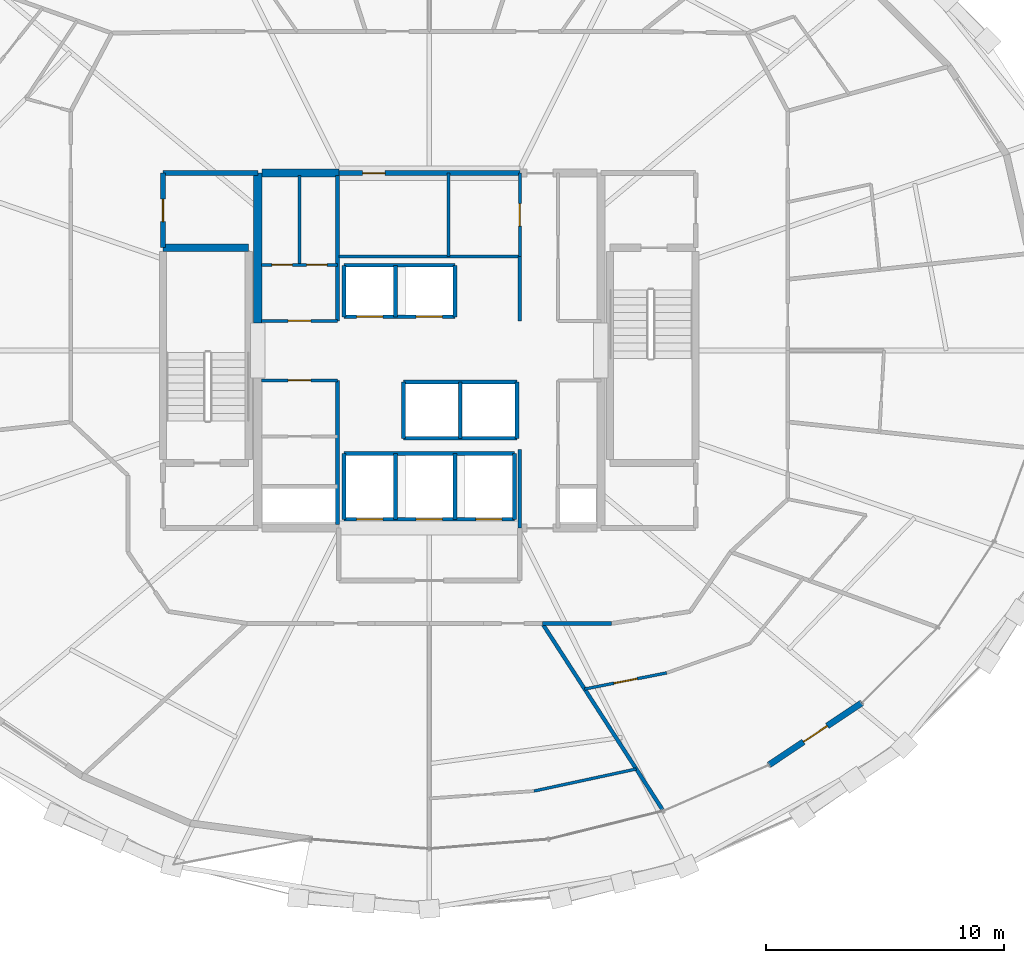
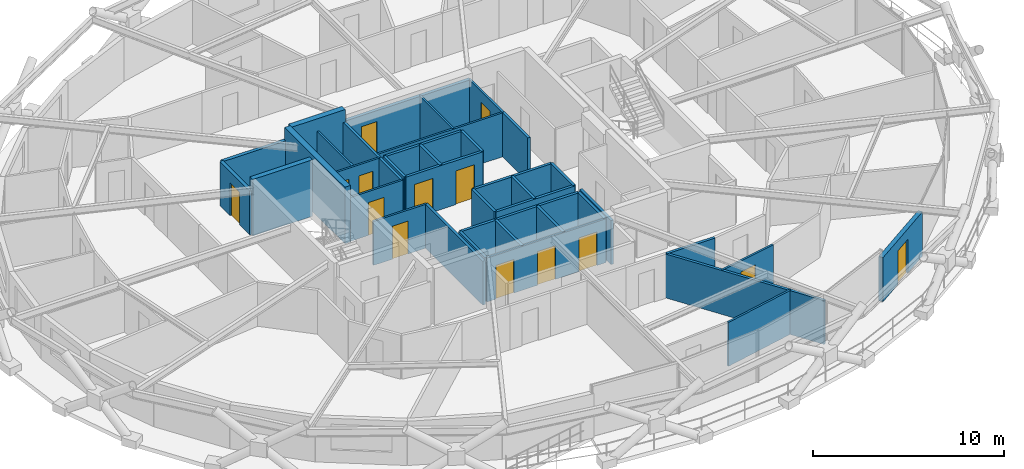
# One storey, part 15 of 19: 38 walls, 14 doors, 14 openings.
"""IFC4 building model written with IfcOpenShell, lengths in metres."""

from ifc_helpers import new_model, si_unit, direction, frame, frame_2d, origin, place, context, subcontext, project, spatial, rectangle, extrude, material, layer, layer_set, type_object, element, fill, save


model = new_model("IFC4")

# Units and contexts
model_context = context("Model", 3, precision=1e-05, world=origin(), true_north=direction((0.0, 1.0)))
body_context = subcontext(model_context, "Body", "Model", "MODEL_VIEW")
ifc_project = project(units=[si_unit("LENGTHUNIT", "METRE"), si_unit("AREAUNIT", "SQUARE_METRE"), si_unit("VOLUMEUNIT", "CUBIC_METRE"), si_unit("PLANEANGLEUNIT", "RADIAN"), si_unit("MASSUNIT", "GRAM", prefix="KILO")], contexts=[model_context])

# Site, building, storey
site_placement = place(None, origin())
site = spatial("IfcSite", under=ifc_project, at=site_placement, CompositionType="ELEMENT")
building_placement = place(site_placement, origin())
building = spatial("IfcBuilding", under=site, at=building_placement, Name="Veldorina Hangang Commons", CompositionType="ELEMENT")
storey_placement = place(building_placement, frame((0.0, 0.0, 160.39990234375)))
storey = spatial("IfcBuildingStorey", under=building, at=storey_placement, Name="L41", CompositionType="ELEMENT", Elevation=160.39990234375)

# Walls
ifc_material_1 = material(Name="Concrete C60/75", Category="concrete")
ifc_layer_1 = layer(ifc_material_1, 0.340087890625)
ifc_layer_set_1 = layer_set([ifc_layer_1], Name="Concrete C60/75")
wall_type_1 = type_object("IfcWallType", Name="CW-RC340-C60", PredefinedType="SHEAR", material=ifc_layer_set_1)
wall_1_placement = place(storey_placement, frame((24.800048828125, 25.14990234375, 0.0), z_axis=(0.0, 0.0, 1.0), x_axis=(0.0, 1.0, 0.0)))
element("IfcWall", 1, at=wall_1_placement, inside=storey, type_object=wall_type_1, Name="L41 W north core shear wall", PredefinedType="SHEAR", context=body_context, shape_type="SweptSolid", body=[
    extrude(rectangle(XDim=6.300048828125, YDim=0.340087890625, at=frame_2d((3.14990234375, 0.0))), origin(), (0.0, 0.0, 1.0), 3.60009765625),
])
wall_2_placement = place(storey_placement, frame((24.969970703125, 31.449951171875, 0.0), z_axis=(0.0, 0.0, 1.0), x_axis=(1.0, 0.0, 0.0)))
element("IfcWall", 2, at=wall_2_placement, inside=storey, type_object=wall_type_1, Name="L41 north-west core shear wall", PredefinedType="SHEAR", context=body_context, shape_type="SweptSolid", body=[
    extrude(rectangle(XDim=3.22998046875, YDim=0.340087890625, at=frame_2d((1.614990234375, 0.0))), origin(), (0.0, 0.0, 1.0), 3.60009765625),
])

# Wall, opening, door
ifc_material_2 = material(Name="Stone Roman Travertine", Category="masonry")
ifc_layer_2 = layer(ifc_material_2, 0.260009765625)
ifc_layer_set_2 = layer_set([ifc_layer_2], Name="Stone Roman Travertine")
wall_type_2 = type_object("IfcWallType", Name="EW-LOGGIA-260", PredefinedType="STANDARD", material=ifc_layer_set_2)
wall_3_placement = place(storey_placement, frame((46.2607421875, 6.612060546875, 0.0), z_axis=(0.0, 0.0, 1.0), x_axis=(0.831303038132, 0.555819448015, 0.0)))
wall_3 = element("IfcWall", 3, at=wall_3_placement, inside=storey, type_object=wall_type_2, Name="L41 sky-garden loggia portal wall 27", PredefinedType="STANDARD", context=body_context, shape_type="SweptSolid", body=[
    extrude(rectangle(XDim=4.67919921875, YDim=0.260009765625, at=frame_2d((2.339599609375, 0.0))), origin(), (0.0, 0.0, 1.0), 2.820068359375),
])
opening_1_placement = place(wall_3_placement, frame((1.739501953125, 0.0, 0.0)))
opening_1 = element("IfcOpeningElement", 4, at=opening_1_placement, cuts=wall_3, Name="Opening BD-1200", PredefinedType="OPENING", context=body_context, shape_type="SweptSolid", body=[
    extrude(rectangle(XDim=1.199951171875, YDim=2.14990234375, at=frame_2d((0.60009765625, 1.074951171875))), frame((0.0, 0.14013671875, 0.0), z_axis=(0.0, -1.0, 0.0), x_axis=(1.0, 0.0, 0.0)), (0.0, 0.0, 1.0), 0.280029296875),
])
ifc_material_3 = material(Name="Glass Thermal Aluminium Frame", Category="aluminium")
door_type_1 = type_object("IfcDoorType", Name="DR-EXT-LOG1200", OperationType="SINGLE_SWING_LEFT", PredefinedType="DOOR", material=ifc_material_3)
door_1_placement = place(opening_1_placement, origin())
door_1 = element("IfcDoor", 5, at=door_1_placement, inside=storey, type_object=door_type_1, Name="L41 loggia glazed exterior door 27", OperationType="SINGLE_SWING_RIGHT", OverallHeight=2.14990234375, OverallWidth=1.199951171875, PredefinedType="DOOR", context=body_context, shape_type="SweptSolid", body=[
    extrude(rectangle(XDim=1.199951171875, YDim=2.14990234375, at=frame_2d((0.60009765625, 1.074951171875))), frame((0.0, 0.02490234375, 0.0), z_axis=(0.0, -1.0, 0.0), x_axis=(1.0, 0.0, 0.0)), (0.0, 0.0, 1.0), 0.050048828125),
])
fill(opening_1, door_1)

# Walls
ifc_material_4 = material(Name="Concrete C50/60", Category="concrete")
ifc_layer_3 = layer(ifc_material_4, 0.300048828125)
ifc_layer_set_3 = layer_set([ifc_layer_3], Name="Concrete C50/60")
wall_type_3 = type_object("IfcWallType", Name="SW-STAIR-300", PredefinedType="SHEAR", material=ifc_layer_set_3)
wall_4_placement = place(storey_placement, frame((20.820068359375, 28.320068359375, 0.0), z_axis=(0.0, 0.0, 1.0), x_axis=(1.0, 0.0, 0.0)))
element("IfcWall", 6, at=wall_4_placement, inside=storey, type_object=wall_type_3, Name="L41 ST1 north stair shear wall", PredefinedType="SHEAR", context=body_context, shape_type="SweptSolid", body=[
    extrude(rectangle(XDim=3.599853515625, YDim=0.300048828125, at=frame_2d((1.7998046875, 0.0))), origin(), (0.0, 0.0, 1.0), 3.60009765625),
])
ifc_material_5 = material(Name="Gypsum Fire-Rated Twin Stud Wall", Category="gypsum")
ifc_layer_4 = layer(ifc_material_5, 0.159912109375)
ifc_layer_set_4 = layer_set([ifc_layer_4], Name="Gypsum Fire-Rated Twin Stud Wall")
wall_type_4 = type_object("IfcWallType", Name="WL-FIRE-160", PredefinedType="SOLIDWALL", material=ifc_layer_set_4)
wall_5_placement = place(storey_placement, frame((35.800048828125, 16.550048828125, 0.0), z_axis=(0.0, 0.0, 1.0), x_axis=(0.0, 1.0, 0.0)))
element("IfcWall", 7, at=wall_5_placement, inside=storey, type_object=wall_type_4, Name="L41 Lift passage SW wall 009", PredefinedType="SOLIDWALL", context=body_context, shape_type="SweptSolid", body=[
    extrude(rectangle(XDim=3.300048828125, YDim=0.159912109375, at=frame_2d((1.64990234375, 0.0))), origin(), (0.0, 0.0, 1.0), 2.800048828125),
])
wall_6_placement = place(storey_placement, frame((35.800048828125, 25.25, 0.0), z_axis=(0.0, 0.0, 1.0), x_axis=(0.0, 1.0, 0.0)))
element("IfcWall", 8, at=wall_6_placement, inside=storey, type_object=wall_type_4, Name="L41 Lift passage NW lower wall 011", PredefinedType="SOLIDWALL", context=body_context, shape_type="SweptSolid", body=[
    extrude(rectangle(XDim=2.699951171875, YDim=0.159912109375, at=frame_2d((1.35009765625, 0.0))), origin(), (0.0, 0.0, 1.0), 2.800048828125),
])

# Wall, openings, doors
wall_7_placement = place(storey_placement, frame((28.419921875, 25.419921875, 0.0), z_axis=(0.0, 0.0, 1.0), x_axis=(1.0, 0.0, 0.0)))
wall_7 = element("IfcWall", 9, at=wall_7_placement, inside=storey, type_object=wall_type_4, Name="L41 Mid-high front shaft wall 015", PredefinedType="SOLIDWALL", context=body_context, shape_type="SweptSolid", body=[
    extrude(rectangle(XDim=4.66015625, YDim=0.159912109375, at=frame_2d((2.330078125, 0.0))), origin(), (0.0, 0.0, 1.0), 2.800048828125),
])
opening_2_placement = place(wall_7_placement, frame((0.530029296875, 0.0, 0.0)))
opening_2 = element("IfcOpeningElement", 10, at=opening_2_placement, cuts=wall_7, Name="Opening LD-01", PredefinedType="OPENING", context=body_context, shape_type="SweptSolid", body=[
    extrude(rectangle(XDim=1.10009765625, YDim=2.14990234375, at=frame_2d((0.550048828125, 1.074951171875))), frame((0.0, 0.08984375, 0.0), z_axis=(0.0, -1.0, 0.0), x_axis=(1.0, 0.0, 0.0)), (0.0, 0.0, 1.0), 0.179931640625),
])
opening_3_placement = place(wall_7_placement, frame((3.030029296875, 0.0, 0.0)))
opening_3 = element("IfcOpeningElement", 11, at=opening_3_placement, cuts=wall_7, Name="Opening LD-01", PredefinedType="OPENING", context=body_context, shape_type="SweptSolid", body=[
    extrude(rectangle(XDim=1.10009765625, YDim=2.14990234375, at=frame_2d((0.550048828125, 1.074951171875))), frame((0.0, 0.08984375, 0.0), z_axis=(0.0, -1.0, 0.0), x_axis=(1.0, 0.0, 0.0)), (0.0, 0.0, 1.0), 0.179931640625),
])
ifc_material_6 = material(Name="Stainless Steel Brushed Lift Door", Category="steel")
door_type_2 = type_object("IfcDoorType", Name="DR-LIFT-1100", OperationType="SLIDING_TO_LEFT", PredefinedType="DOOR", material=ifc_material_6)
door_2_placement = place(opening_2_placement, origin())
door_2 = element("IfcDoor", 12, at=door_2_placement, inside=storey, type_object=door_type_2, Name="L41 Lift PL-M1 landing door 006", OperationType="SLIDING_TO_RIGHT", OverallHeight=2.14990234375, OverallWidth=1.10009765625, PredefinedType="DOOR", context=body_context, shape_type="SweptSolid", body=[
    extrude(rectangle(XDim=1.10009765625, YDim=2.14990234375, at=frame_2d((0.550048828125, 1.074951171875))), frame((0.0, 0.02490234375, 0.0), z_axis=(0.0, -1.0, 0.0), x_axis=(1.0, 0.0, 0.0)), (0.0, 0.0, 1.0), 0.050048828125),
])
fill(opening_2, door_2)
door_3_placement = place(opening_3_placement, origin())
door_3 = element("IfcDoor", 13, at=door_3_placement, inside=storey, type_object=door_type_2, Name="L41 Lift PL-M2 landing door 007", OperationType="SLIDING_TO_RIGHT", OverallHeight=2.14990234375, OverallWidth=1.10009765625, PredefinedType="DOOR", context=body_context, shape_type="SweptSolid", body=[
    extrude(rectangle(XDim=1.10009765625, YDim=2.14990234375, at=frame_2d((0.550048828125, 1.074951171875))), frame((0.0, 0.02490234375, 0.0), z_axis=(0.0, -1.0, 0.0), x_axis=(1.0, 0.0, 0.0)), (0.0, 0.0, 1.0), 0.050048828125),
])
fill(opening_3, door_3)

# Walls
wall_8_placement = place(storey_placement, frame((28.419921875, 27.580078125, 0.0), z_axis=(0.0, 0.0, 1.0), x_axis=(1.0, 0.0, 0.0)))
element("IfcWall", 14, at=wall_8_placement, inside=storey, type_object=wall_type_4, Name="L41 Mid-high rear shaft wall 016", PredefinedType="SOLIDWALL", context=body_context, shape_type="SweptSolid", body=[
    extrude(rectangle(XDim=4.66015625, YDim=0.159912109375, at=frame_2d((2.330078125, 0.0))), origin(), (0.0, 0.0, 1.0), 2.800048828125),
])
for number, where, z_axis, x_axis, name in (
    (15, (28.419921875, 25.419921875, 0.0), (0.0, 0.0, 1.0), (0.0, 1.0, 0.0), "L41 PL-M1 west shaft wall 017"),
    (16, (30.580078125, 25.419921875, 0.0), (0.0, 0.0, 1.0), (0.0, 1.0, 0.0), "L41 PL-M1 east shaft wall 018"),
    (17, (33.080078125, 25.419921875, 0.0), (0.0, 0.0, 1.0), (0.0, 1.0, 0.0), "L41 PL-M2 east shaft wall 019"),
):
    element("IfcWall", number, at=place(storey_placement, frame(where, z_axis=z_axis, x_axis=x_axis)), inside=storey, type_object=wall_type_4, Name=name, PredefinedType="SOLIDWALL", context=body_context, shape_type="SweptSolid", body=[
        extrude(rectangle(XDim=2.16015625, YDim=0.159912109375, at=frame_2d((1.080078125, 0.0))), origin(), (0.0, 0.0, 1.0), 2.800048828125),
    ])
for number, where, z_axis, x_axis, name in (
    (18, (30.919921875, 22.679931640625, 0.0), (0.0, 0.0, 1.0), (1.0, 0.0, 0.0), "L41 Shuttle-high front shaft wall 020"),
    (19, (30.919921875, 20.320068359375, 0.0), (0.0, 0.0, 1.0), (1.0, 0.0, 0.0), "L41 Shuttle-high rear shaft wall 021"),
):
    element("IfcWall", number, at=place(storey_placement, frame(where, z_axis=z_axis, x_axis=x_axis)), inside=storey, type_object=wall_type_4, Name=name, PredefinedType="SOLIDWALL", context=body_context, shape_type="SweptSolid", body=[
        extrude(rectangle(XDim=4.760009765625, YDim=0.159912109375, at=frame_2d((2.3798828125, 0.0))), origin(), (0.0, 0.0, 1.0), 2.800048828125),
    ])
for number, where, z_axis, x_axis, name in (
    (20, (30.919921875, 20.320068359375, 0.0), (0.0, 0.0, 1.0), (0.0, 1.0, 0.0), "L41 SL-1 west shaft wall 022"),
    (21, (33.300048828125, 20.320068359375, 0.0), (0.0, 0.0, 1.0), (0.0, 1.0, 0.0), "L41 SL-1 east shaft wall 023"),
    (22, (35.679931640625, 20.320068359375, 0.0), (0.0, 0.0, 1.0), (0.0, 1.0, 0.0), "L41 SL-2 east shaft wall 024"),
):
    element("IfcWall", number, at=place(storey_placement, frame(where, z_axis=z_axis, x_axis=x_axis)), inside=storey, type_object=wall_type_4, Name=name, PredefinedType="SOLIDWALL", context=body_context, shape_type="SweptSolid", body=[
        extrude(rectangle(XDim=2.35986328125, YDim=0.159912109375, at=frame_2d((1.179931640625, 0.0))), origin(), (0.0, 0.0, 1.0), 2.800048828125),
    ])

# Wall, openings, doors
wall_9_placement = place(storey_placement, frame((28.419921875, 16.919921875, 0.0), z_axis=(0.0, 0.0, 1.0), x_axis=(1.0, 0.0, 0.0)))
wall_9 = element("IfcWall", 23, at=wall_9_placement, inside=storey, type_object=wall_type_4, Name="L41 Emergency front shaft wall 025", PredefinedType="SOLIDWALL", context=body_context, shape_type="SweptSolid", body=[
    extrude(rectangle(XDim=7.16015625, YDim=0.159912109375, at=frame_2d((3.580078125, 0.0))), origin(), (0.0, 0.0, 1.0), 2.800048828125),
])
opening_4_placement = place(wall_9_placement, frame((0.530029296875, 0.0, 0.0)))
opening_4 = element("IfcOpeningElement", 24, at=opening_4_placement, cuts=wall_9, Name="Opening LD-03", PredefinedType="OPENING", context=body_context, shape_type="SweptSolid", body=[
    extrude(rectangle(XDim=1.10009765625, YDim=2.14990234375, at=frame_2d((0.550048828125, 1.074951171875))), frame((0.0, 0.08984375, 0.0), z_axis=(0.0, -1.0, 0.0), x_axis=(1.0, 0.0, 0.0)), (0.0, 0.0, 1.0), 0.179931640625),
])
opening_5_placement = place(wall_9_placement, frame((3.030029296875, 0.0, 0.0)))
opening_5 = element("IfcOpeningElement", 25, at=opening_5_placement, cuts=wall_9, Name="Opening LD-03", PredefinedType="OPENING", context=body_context, shape_type="SweptSolid", body=[
    extrude(rectangle(XDim=1.10009765625, YDim=2.14990234375, at=frame_2d((0.550048828125, 1.074951171875))), frame((0.0, 0.08984375, 0.0), z_axis=(0.0, -1.0, 0.0), x_axis=(1.0, 0.0, 0.0)), (0.0, 0.0, 1.0), 0.179931640625),
])
opening_6_placement = place(wall_9_placement, frame((5.530029296875, 0.0, 0.0)))
opening_6 = element("IfcOpeningElement", 26, at=opening_6_placement, cuts=wall_9, Name="Opening LD-03", PredefinedType="OPENING", context=body_context, shape_type="SweptSolid", body=[
    extrude(rectangle(XDim=1.10009765625, YDim=2.14990234375, at=frame_2d((0.550048828125, 1.074951171875))), frame((0.0, 0.08984375, 0.0), z_axis=(0.0, -1.0, 0.0), x_axis=(1.0, 0.0, 0.0)), (0.0, 0.0, 1.0), 0.179931640625),
])
ifc_material_7 = material(Name="Stainless Steel Firefighting Lift Door", Category="steel")
door_type_3 = type_object("IfcDoorType", Name="DR-LIFT-FF1100", OperationType="SLIDING_TO_RIGHT", PredefinedType="DOOR", material=ifc_material_7)
door_4_placement = place(opening_4_placement, origin())
door_4 = element("IfcDoor", 27, at=door_4_placement, inside=storey, type_object=door_type_3, Name="L41 Emergency lift FFL-1 landing door 008", OperationType="SLIDING_TO_RIGHT", OverallHeight=2.14990234375, OverallWidth=1.10009765625, PredefinedType="DOOR", context=body_context, shape_type="SweptSolid", body=[
    extrude(rectangle(XDim=1.10009765625, YDim=2.14990234375, at=frame_2d((0.550048828125, 1.074951171875))), frame((0.0, 0.02490234375, 0.0), z_axis=(0.0, -1.0, 0.0), x_axis=(1.0, 0.0, 0.0)), (0.0, 0.0, 1.0), 0.050048828125),
])
fill(opening_4, door_4)
door_5_placement = place(opening_5_placement, origin())
door_5 = element("IfcDoor", 28, at=door_5_placement, inside=storey, type_object=door_type_3, Name="L41 Emergency lift FFL-2 landing door 009", OperationType="SLIDING_TO_RIGHT", OverallHeight=2.14990234375, OverallWidth=1.10009765625, PredefinedType="DOOR", context=body_context, shape_type="SweptSolid", body=[
    extrude(rectangle(XDim=1.10009765625, YDim=2.14990234375, at=frame_2d((0.550048828125, 1.074951171875))), frame((0.0, 0.02490234375, 0.0), z_axis=(0.0, -1.0, 0.0), x_axis=(1.0, 0.0, 0.0)), (0.0, 0.0, 1.0), 0.050048828125),
])
fill(opening_5, door_5)
door_6_placement = place(opening_6_placement, origin())
door_6 = element("IfcDoor", 29, at=door_6_placement, inside=storey, type_object=door_type_3, Name="L41 Emergency lift EVL-1 landing door 010", OperationType="SLIDING_TO_RIGHT", OverallHeight=2.14990234375, OverallWidth=1.10009765625, PredefinedType="DOOR", context=body_context, shape_type="SweptSolid", body=[
    extrude(rectangle(XDim=1.10009765625, YDim=2.14990234375, at=frame_2d((0.550048828125, 1.074951171875))), frame((0.0, 0.02490234375, 0.0), z_axis=(0.0, -1.0, 0.0), x_axis=(1.0, 0.0, 0.0)), (0.0, 0.0, 1.0), 0.050048828125),
])
fill(opening_6, door_6)

# Walls
wall_10_placement = place(storey_placement, frame((28.419921875, 19.679931640625, 0.0), z_axis=(0.0, 0.0, 1.0), x_axis=(1.0, 0.0, 0.0)))
element("IfcWall", 30, at=wall_10_placement, inside=storey, type_object=wall_type_4, Name="L41 Emergency rear shaft wall 026", PredefinedType="SOLIDWALL", context=body_context, shape_type="SweptSolid", body=[
    extrude(rectangle(XDim=7.16015625, YDim=0.159912109375, at=frame_2d((3.580078125, 0.0))), origin(), (0.0, 0.0, 1.0), 2.800048828125),
])
for number, where, z_axis, x_axis, name in (
    (31, (28.419921875, 16.919921875, 0.0), (0.0, 0.0, 1.0), (0.0, 1.0, 0.0), "L41 FFL-1 west shaft wall 027"),
    (32, (30.580078125, 16.919921875, 0.0), (0.0, 0.0, 1.0), (0.0, 1.0, 0.0), "L41 FFL-1 east shaft wall 028"),
    (33, (33.080078125, 16.919921875, 0.0), (0.0, 0.0, 1.0), (0.0, 1.0, 0.0), "L41 FFL-2 east shaft wall 029"),
    (34, (35.580078125, 16.919921875, 0.0), (0.0, 0.0, 1.0), (0.0, 1.0, 0.0), "L41 EVL-1 east shaft wall 030"),
):
    element("IfcWall", number, at=place(storey_placement, frame(where, z_axis=z_axis, x_axis=x_axis)), inside=storey, type_object=wall_type_4, Name=name, PredefinedType="SOLIDWALL", context=body_context, shape_type="SweptSolid", body=[
        extrude(rectangle(XDim=2.760009765625, YDim=0.159912109375, at=frame_2d((1.3798828125, 0.0))), origin(), (0.0, 0.0, 1.0), 2.800048828125),
    ])
wall_11_placement = place(storey_placement, frame((28.14990234375, 16.699951171875, 0.0), z_axis=(0.0, 0.0, 1.0), x_axis=(0.0, 1.0, 0.0)))
element("IfcWall", 35, at=wall_11_placement, inside=storey, type_object=wall_type_4, Name="L41 SW core inner wall 036", PredefinedType="SOLIDWALL", context=body_context, shape_type="SweptSolid", body=[
    extrude(rectangle(XDim=6.050048828125, YDim=0.159912109375, at=frame_2d((3.02490234375, 0.0))), origin(), (0.0, 0.0, 1.0), 2.800048828125),
])
wall_12_placement = place(storey_placement, frame((28.14990234375, 25.25, 0.0), z_axis=(0.0, 0.0, 1.0), x_axis=(0.0, 1.0, 0.0)))
element("IfcWall", 36, at=wall_12_placement, inside=storey, type_object=wall_type_4, Name="L41 NW core inner wall 038", PredefinedType="SOLIDWALL", context=body_context, shape_type="SweptSolid", body=[
    extrude(rectangle(XDim=6.10009765625, YDim=0.159912109375, at=frame_2d((3.050048828125, 0.0))), origin(), (0.0, 0.0, 1.0), 2.800048828125),
])
wall_13_placement = place(storey_placement, frame((36.74267578125, 12.550048828125, 0.0), z_axis=(0.0, 0.0, 1.0), x_axis=(1.0, 0.0, 0.0)))
element("IfcWall", 37, at=wall_13_placement, inside=storey, type_object=wall_type_4, Name="L41 U-corridor outer wall 26 074", PredefinedType="SOLIDWALL", context=body_context, shape_type="SweptSolid", body=[
    extrude(rectangle(XDim=2.907958984375, YDim=0.159912109375, at=frame_2d((1.4541015625, 0.0))), origin(), (0.0, 0.0, 1.0), 2.800048828125),
])
wall_14_placement = place(storey_placement, frame((36.74267578125, 12.550048828125, 0.0), z_axis=(0.0, 0.0, 1.0), x_axis=(0.542328576717, -0.840166480453, 0.0)))
element("IfcWall", 38, at=wall_14_placement, inside=storey, type_object=wall_type_4, Name="L41 Unit party wall 26 080", PredefinedType="SOLIDWALL", context=body_context, shape_type="SweptSolid", body=[
    extrude(rectangle(XDim=9.317626953125, YDim=0.159912109375, at=frame_2d((4.65869140625, 0.0))), origin(), (0.0, 0.0, 1.0), 2.800048828125),
])

# Wall, opening, door
ifc_material_8 = material(Name="Concrete Blockwork Fire Wall C30/37", Category="masonry")
ifc_layer_5 = layer(ifc_material_8, 0.199951171875)
ifc_layer_set_5 = layer_set([ifc_layer_5], Name="Concrete Blockwork Fire Wall C30/37")
wall_type_5 = type_object("IfcWallType", Name="WL-FIRE-200", PredefinedType="SOLIDWALL", material=ifc_layer_set_5)
wall_15_placement = place(storey_placement, frame((20.820068359375, 28.320068359375, 0.0), z_axis=(0.0, 0.0, 1.0), x_axis=(0.0, 1.0, 0.0)))
wall_15 = element("IfcWall", 39, at=wall_15_placement, inside=storey, type_object=wall_type_5, Name="L41 NW core room outer wall 005", PredefinedType="SOLIDWALL", context=body_context, shape_type="SweptSolid", body=[
    extrude(rectangle(XDim=3.1298828125, YDim=0.199951171875, at=frame_2d((1.56494140625, 0.0))), origin(), (0.0, 0.0, 1.0), 2.800048828125),
])
opening_7_placement = place(wall_15_placement, frame((1.090087890625, 0.0, 0.0)))
opening_7 = element("IfcOpeningElement", 40, at=opening_7_placement, cuts=wall_15, Name="Opening D-04", PredefinedType="OPENING", context=body_context, shape_type="SweptSolid", body=[
    extrude(rectangle(XDim=0.949951171875, YDim=2.10009765625, at=frame_2d((0.47509765625, 1.050048828125))), frame((0.0, 0.10986328125, 0.0), z_axis=(0.0, -1.0, 0.0), x_axis=(1.0, 0.0, 0.0)), (0.0, 0.0, 1.0), 0.219970703125),
])
ifc_material_9 = material(Name="Timber Accessible Flush Leaf", Category="wood")
door_type_4 = type_object("IfcDoorType", Name="DR-ACC-950", OperationType="SINGLE_SWING_LEFT", PredefinedType="DOOR", material=ifc_material_9)
door_7_placement = place(opening_7_placement, origin())
door_7 = element("IfcDoor", 41, at=door_7_placement, inside=storey, type_object=door_type_4, Name="L41 NW core WC door 003", OperationType="SINGLE_SWING_LEFT", OverallHeight=2.10009765625, OverallWidth=0.949951171875, PredefinedType="DOOR", context=body_context, shape_type="SweptSolid", body=[
    extrude(rectangle(XDim=0.949951171875, YDim=2.10009765625, at=frame_2d((0.47509765625, 1.050048828125))), frame((0.0, 0.02490234375, 0.0), z_axis=(0.0, -1.0, 0.0), x_axis=(1.0, 0.0, 0.0)), (0.0, 0.0, 1.0), 0.050048828125),
])
fill(opening_7, door_7)

# Wall
wall_16_placement = place(storey_placement, frame((20.820068359375, 31.449951171875, 0.0), z_axis=(0.0, 0.0, 1.0), x_axis=(1.0, 0.0, 0.0)))
element("IfcWall", 42, at=wall_16_placement, inside=storey, type_object=wall_type_5, Name="L41 NW core room north wall 006", PredefinedType="SOLIDWALL", context=body_context, shape_type="SweptSolid", body=[
    extrude(rectangle(XDim=3.97998046875, YDim=0.199951171875, at=frame_2d((1.989990234375, 0.0))), origin(), (0.0, 0.0, 1.0), 2.800048828125),
])

# Wall, opening, door
wall_17_placement = place(storey_placement, frame((28.199951171875, 31.449951171875, 0.0), z_axis=(0.0, 0.0, 1.0), x_axis=(1.0, 0.0, 0.0)))
wall_17 = element("IfcWall", 43, at=wall_17_placement, inside=storey, type_object=wall_type_5, Name="L41 Merged north core wall 031", PredefinedType="SOLIDWALL", context=body_context, shape_type="SweptSolid", body=[
    extrude(rectangle(XDim=7.60009765625, YDim=0.199951171875, at=frame_2d((3.800048828125, 0.0))), origin(), (0.0, 0.0, 1.0), 2.800048828125),
])
opening_8_placement = place(wall_17_placement, frame((1.0, 0.0, 0.0)))
opening_8 = element("IfcOpeningElement", 44, at=opening_8_placement, cuts=wall_17, Name="Opening D-02", PredefinedType="OPENING", context=body_context, shape_type="SweptSolid", body=[
    extrude(rectangle(XDim=0.949951171875, YDim=2.10009765625, at=frame_2d((0.47509765625, 1.050048828125))), frame((0.0, 0.10986328125, 0.0), z_axis=(0.0, -1.0, 0.0), x_axis=(1.0, 0.0, 0.0)), (0.0, 0.0, 1.0), 0.219970703125),
])
ifc_material_10 = material(Name="Timber Solid Core Acoustic", Category="wood")
door_type_5 = type_object("IfcDoorType", Name="DR-INT-950", OperationType="SINGLE_SWING_LEFT", PredefinedType="DOOR", material=ifc_material_10)
door_8_placement = place(opening_8_placement, origin())
door_8 = element("IfcDoor", 45, at=door_8_placement, inside=storey, type_object=door_type_5, Name="L41 Core study alcove door 011", OperationType="SINGLE_SWING_LEFT", OverallHeight=2.10009765625, OverallWidth=0.949951171875, PredefinedType="DOOR", context=body_context, shape_type="SweptSolid", body=[
    extrude(rectangle(XDim=0.949951171875, YDim=2.10009765625, at=frame_2d((0.47509765625, 1.050048828125))), frame((0.0, 0.02490234375, 0.0), z_axis=(0.0, -1.0, 0.0), x_axis=(1.0, 0.0, 0.0)), (0.0, 0.0, 1.0), 0.050048828125),
])
fill(opening_8, door_8)

# Wall
ifc_material_11 = material(Name="Gypsum Acoustic Stud Partition", Category="gypsum")
ifc_layer_6 = layer(ifc_material_11, 0.1201171875)
ifc_layer_set_6 = layer_set([ifc_layer_6], Name="Gypsum Acoustic Stud Partition")
wall_type_6 = type_object("IfcWallType", Name="WL-PART-120", PredefinedType="PARTITIONING", material=ifc_layer_set_6)
wall_18_placement = place(storey_placement, frame((28.199951171875, 27.949951171875, 0.0), z_axis=(0.0, 0.0, 1.0), x_axis=(1.0, 0.0, 0.0)))
element("IfcWall", 46, at=wall_18_placement, inside=storey, type_object=wall_type_6, Name="L41 Merged north south wall 032", PredefinedType="PARTITIONING", context=body_context, shape_type="SweptSolid", body=[
    extrude(rectangle(XDim=7.60009765625, YDim=0.1201171875, at=frame_2d((3.800048828125, 0.0))), origin(), (0.0, 0.0, 1.0), 2.800048828125),
])

# Wall, opening, door
wall_19_placement = place(storey_placement, frame((35.800048828125, 27.949951171875, 0.0), z_axis=(0.0, 0.0, 1.0), x_axis=(0.0, 1.0, 0.0)))
wall_19 = element("IfcWall", 47, at=wall_19_placement, inside=storey, type_object=wall_type_6, Name="L41 Merged north east wall 033", PredefinedType="PARTITIONING", context=body_context, shape_type="SweptSolid", body=[
    extrude(rectangle(XDim=3.5, YDim=0.1201171875, at=frame_2d((1.75, 0.0))), origin(), (0.0, 0.0, 1.0), 2.800048828125),
])
opening_9_placement = place(wall_19_placement, frame((1.27490234375, 0.0, 0.0)))
opening_9 = element("IfcOpeningElement", 48, at=opening_9_placement, cuts=wall_19, Name="Opening D-02", PredefinedType="OPENING", context=body_context, shape_type="SweptSolid", body=[
    extrude(rectangle(XDim=0.949951171875, YDim=2.10009765625, at=frame_2d((0.47509765625, 1.050048828125))), frame((0.0, 0.070068359375, 0.0), z_axis=(0.0, -1.0, 0.0), x_axis=(1.0, 0.0, 0.0)), (0.0, 0.0, 1.0), 0.14013671875),
])
door_9_placement = place(opening_9_placement, origin())
door_9 = element("IfcDoor", 49, at=door_9_placement, inside=storey, type_object=door_type_5, Name="L41 Core linen store door 012", OperationType="SINGLE_SWING_RIGHT", OverallHeight=2.10009765625, OverallWidth=0.949951171875, PredefinedType="DOOR", context=body_context, shape_type="SweptSolid", body=[
    extrude(rectangle(XDim=0.949951171875, YDim=2.10009765625, at=frame_2d((0.47509765625, 1.050048828125))), frame((0.0, 0.02490234375, 0.0), z_axis=(0.0, -1.0, 0.0), x_axis=(1.0, 0.0, 0.0)), (0.0, 0.0, 1.0), 0.050048828125),
])
fill(opening_9, door_9)

# Wall
wall_20_placement = place(storey_placement, frame((32.800048828125, 27.949951171875, 0.0), z_axis=(0.0, 0.0, 1.0), x_axis=(0.0, 1.0, 0.0)))
element("IfcWall", 50, at=wall_20_placement, inside=storey, type_object=wall_type_6, Name="L41 Merged north split wall 034", PredefinedType="PARTITIONING", context=body_context, shape_type="SweptSolid", body=[
    extrude(rectangle(XDim=3.5, YDim=0.1201171875, at=frame_2d((1.75, 0.0))), origin(), (0.0, 0.0, 1.0), 2.800048828125),
])

# Wall, opening, door
wall_21_placement = place(storey_placement, frame((24.949951171875, 25.25, 0.0), z_axis=(0.0, 0.0, 1.0), x_axis=(1.0, 0.0, 0.0)))
wall_21 = element("IfcWall", 51, at=wall_21_placement, inside=storey, type_object=wall_type_6, Name="L41 NW service south wall 039", PredefinedType="PARTITIONING", context=body_context, shape_type="SweptSolid", body=[
    extrude(rectangle(XDim=3.199951171875, YDim=0.1201171875, at=frame_2d((1.60009765625, 0.0))), origin(), (0.0, 0.0, 1.0), 2.800048828125),
])
opening_10_placement = place(wall_21_placement, frame((1.125, 0.0, 0.0)))
opening_10 = element("IfcOpeningElement", 52, at=opening_10_placement, cuts=wall_21, Name="Opening D-02", PredefinedType="OPENING", context=body_context, shape_type="SweptSolid", body=[
    extrude(rectangle(XDim=0.949951171875, YDim=2.10009765625, at=frame_2d((0.47509765625, 1.050048828125))), frame((0.0, 0.070068359375, 0.0), z_axis=(0.0, -1.0, 0.0), x_axis=(1.0, 0.0, 0.0)), (0.0, 0.0, 1.0), 0.14013671875),
])
door_10_placement = place(opening_10_placement, origin())
door_10 = element("IfcDoor", 53, at=door_10_placement, inside=storey, type_object=door_type_5, Name="L41 Utility vestibule door 013", OperationType="SINGLE_SWING_LEFT", OverallHeight=2.10009765625, OverallWidth=0.949951171875, PredefinedType="DOOR", context=body_context, shape_type="SweptSolid", body=[
    extrude(rectangle(XDim=0.949951171875, YDim=2.10009765625, at=frame_2d((0.47509765625, 1.050048828125))), frame((0.0, 0.02490234375, 0.0), z_axis=(0.0, -1.0, 0.0), x_axis=(1.0, 0.0, 0.0)), (0.0, 0.0, 1.0), 0.050048828125),
])
fill(opening_10, door_10)

wall_22_placement = place(storey_placement, frame((24.949951171875, 22.75, 0.0), z_axis=(0.0, 0.0, 1.0), x_axis=(1.0, 0.0, 0.0)))
wall_22 = element("IfcWall", 54, at=wall_22_placement, inside=storey, type_object=wall_type_6, Name="L41 SW service north wall 040", PredefinedType="PARTITIONING", context=body_context, shape_type="SweptSolid", body=[
    extrude(rectangle(XDim=3.199951171875, YDim=0.1201171875, at=frame_2d((1.60009765625, 0.0))), origin(), (0.0, 0.0, 1.0), 2.800048828125),
])
opening_11_placement = place(wall_22_placement, frame((1.125, 0.0, 0.0)))
opening_11 = element("IfcOpeningElement", 55, at=opening_11_placement, cuts=wall_22, Name="Opening D-02", PredefinedType="OPENING", context=body_context, shape_type="SweptSolid", body=[
    extrude(rectangle(XDim=0.949951171875, YDim=2.10009765625, at=frame_2d((0.47509765625, 1.050048828125))), frame((0.0, 0.070068359375, 0.0), z_axis=(0.0, -1.0, 0.0), x_axis=(1.0, 0.0, 0.0)), (0.0, 0.0, 1.0), 0.14013671875),
])
door_11_placement = place(opening_11_placement, origin())
door_11 = element("IfcDoor", 56, at=door_11_placement, inside=storey, type_object=door_type_5, Name="L41 Recycling room door 016", OperationType="SINGLE_SWING_RIGHT", OverallHeight=2.10009765625, OverallWidth=0.949951171875, PredefinedType="DOOR", context=body_context, shape_type="SweptSolid", body=[
    extrude(rectangle(XDim=0.949951171875, YDim=2.10009765625, at=frame_2d((0.47509765625, 1.050048828125))), frame((0.0, 0.02490234375, 0.0), z_axis=(0.0, -1.0, 0.0), x_axis=(1.0, 0.0, 0.0)), (0.0, 0.0, 1.0), 0.050048828125),
])
fill(opening_11, door_11)

# Wall, openings, doors
wall_23_placement = place(storey_placement, frame((24.949951171875, 27.60009765625, 0.0), z_axis=(0.0, 0.0, 1.0), x_axis=(1.0, 0.0, 0.0)))
wall_23 = element("IfcWall", 57, at=wall_23_placement, inside=storey, type_object=wall_type_6, Name="L41 NW lower split 045", PredefinedType="PARTITIONING", context=body_context, shape_type="SweptSolid", body=[
    extrude(rectangle(XDim=3.199951171875, YDim=0.1201171875, at=frame_2d((1.60009765625, 0.0))), origin(), (0.0, 0.0, 1.0), 2.800048828125),
])
opening_12_placement = place(wall_23_placement, frame((0.43994140625, 0.0, 0.0)))
opening_12 = element("IfcOpeningElement", 58, at=opening_12_placement, cuts=wall_23, Name="Opening D-01", PredefinedType="OPENING", context=body_context, shape_type="SweptSolid", body=[
    extrude(rectangle(XDim=0.860107421875, YDim=2.10009765625, at=frame_2d((0.43017578125, 1.050048828125))), frame((0.0, 0.070068359375, 0.0), z_axis=(0.0, -1.0, 0.0), x_axis=(1.0, 0.0, 0.0)), (0.0, 0.0, 1.0), 0.14013671875),
])
opening_13_placement = place(wall_23_placement, frame((1.89990234375, 0.0, 0.0)))
opening_13 = element("IfcOpeningElement", 59, at=opening_13_placement, cuts=wall_23, Name="Opening D-01", PredefinedType="OPENING", context=body_context, shape_type="SweptSolid", body=[
    extrude(rectangle(XDim=0.860107421875, YDim=2.10009765625, at=frame_2d((0.43017578125, 1.050048828125))), frame((0.0, 0.070068359375, 0.0), z_axis=(0.0, -1.0, 0.0), x_axis=(1.0, 0.0, 0.0)), (0.0, 0.0, 1.0), 0.14013671875),
])
ifc_material_12 = material(Name="Timber Moisture-Resistant Core", Category="wood")
door_type_6 = type_object("IfcDoorType", Name="DR-WET-860", OperationType="SINGLE_SWING_LEFT", PredefinedType="DOOR", material=ifc_material_12)
door_12_placement = place(opening_12_placement, origin())
door_12 = element("IfcDoor", 60, at=door_12_placement, inside=storey, type_object=door_type_6, Name="L41 Store A door 014", OperationType="SINGLE_SWING_RIGHT", OverallHeight=2.10009765625, OverallWidth=0.860107421875, PredefinedType="DOOR", context=body_context, shape_type="SweptSolid", body=[
    extrude(rectangle(XDim=0.860107421875, YDim=2.10009765625, at=frame_2d((0.43017578125, 1.050048828125))), frame((0.0, 0.02490234375, 0.0), z_axis=(0.0, -1.0, 0.0), x_axis=(1.0, 0.0, 0.0)), (0.0, 0.0, 1.0), 0.050048828125),
])
fill(opening_12, door_12)
door_13_placement = place(opening_13_placement, origin())
door_13 = element("IfcDoor", 61, at=door_13_placement, inside=storey, type_object=door_type_6, Name="L41 Store B door 015", OperationType="SINGLE_SWING_LEFT", OverallHeight=2.10009765625, OverallWidth=0.860107421875, PredefinedType="DOOR", context=body_context, shape_type="SweptSolid", body=[
    extrude(rectangle(XDim=0.860107421875, YDim=2.10009765625, at=frame_2d((0.43017578125, 1.050048828125))), frame((0.0, 0.02490234375, 0.0), z_axis=(0.0, -1.0, 0.0), x_axis=(1.0, 0.0, 0.0)), (0.0, 0.0, 1.0), 0.050048828125),
])
fill(opening_13, door_13)

# Wall
wall_24_placement = place(storey_placement, frame((26.550048828125, 27.60009765625, 0.0), z_axis=(0.0, 0.0, 1.0), x_axis=(0.0, 1.0, 0.0)))
element("IfcWall", 62, at=wall_24_placement, inside=storey, type_object=wall_type_6, Name="L41 NW upper vertical split 046", PredefinedType="PARTITIONING", context=body_context, shape_type="SweptSolid", body=[
    extrude(rectangle(XDim=3.75, YDim=0.1201171875, at=frame_2d((1.875, 0.0))), origin(), (0.0, 0.0, 1.0), 2.800048828125),
])

# Wall, opening, door
wall_25_placement = place(storey_placement, frame((38.520751953125, 9.79541015625, 0.0), z_axis=(0.0, 0.0, 1.0), x_axis=(0.981254459405, 0.192716594764, 0.0)))
wall_25 = element("IfcWall", 63, at=wall_25_placement, inside=storey, type_object=wall_type_6, Name="L41 Lounge alcove split 0 081", PredefinedType="PARTITIONING", context=body_context, shape_type="SweptSolid", body=[
    extrude(rectangle(XDim=3.509033203125, YDim=0.1201171875, at=frame_2d((1.75439453125, 0.0))), origin(), (0.0, 0.0, 1.0), 2.800048828125),
])
opening_14_placement = place(wall_25_placement, frame((1.254638671875, 0.0, 0.0)))
opening_14 = element("IfcOpeningElement", 64, at=opening_14_placement, cuts=wall_25, Name="Opening D-05", PredefinedType="OPENING", context=body_context, shape_type="SweptSolid", body=[
    extrude(rectangle(XDim=1.0, YDim=2.10009765625, at=frame_2d((0.5, 1.050048828125))), frame((0.0, 0.070068359375, 0.0), z_axis=(0.0, -1.0, 0.0), x_axis=(1.0, 0.0, 0.0)), (0.0, 0.0, 1.0), 0.14013671875),
])
door_type_7 = type_object("IfcDoorType", Name="DR-INT-1000", OperationType="SINGLE_SWING_RIGHT", PredefinedType="DOOR", material=ifc_material_10)
door_14_placement = place(opening_14_placement, origin())
door_14 = element("IfcDoor", 65, at=door_14_placement, inside=storey, type_object=door_type_7, Name="L41 Commons lounge door 021", OperationType="SINGLE_SWING_LEFT", OverallHeight=2.10009765625, OverallWidth=1.0, PredefinedType="DOOR", context=body_context, shape_type="SweptSolid", body=[
    extrude(rectangle(XDim=1.0, YDim=2.10009765625, at=frame_2d((0.5, 1.050048828125))), frame((0.0, 0.02490234375, 0.0), z_axis=(0.0, -1.0, 0.0), x_axis=(1.0, 0.0, 0.0)), (0.0, 0.0, 1.0), 0.050048828125),
])
fill(opening_14, door_14)

# Wall
wall_26_placement = place(storey_placement, frame((36.397705078125, 5.513427734375, 0.0), z_axis=(0.0, 0.0, 1.0), x_axis=(0.977569800654, 0.2106116921, 0.0)))
element("IfcWall", 66, at=wall_26_placement, inside=storey, type_object=wall_type_6, Name="L41 Laundry split 1 121", PredefinedType="PARTITIONING", context=body_context, shape_type="SweptSolid", body=[
    extrude(rectangle(XDim=4.388671875, YDim=0.1201171875, at=frame_2d((2.1943359375, 0.0))), origin(), (0.0, 0.0, 1.0), 2.800048828125),
])

save(model, "model.ifc")
